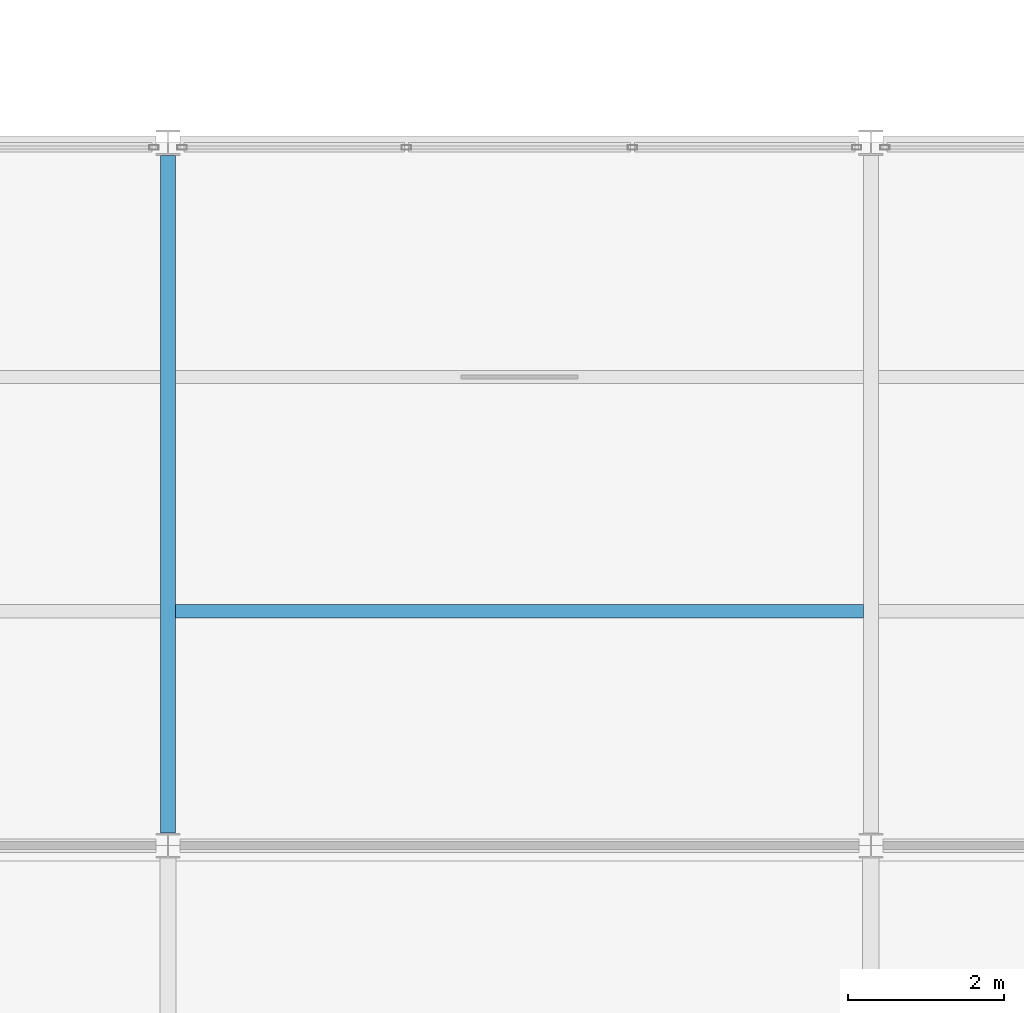
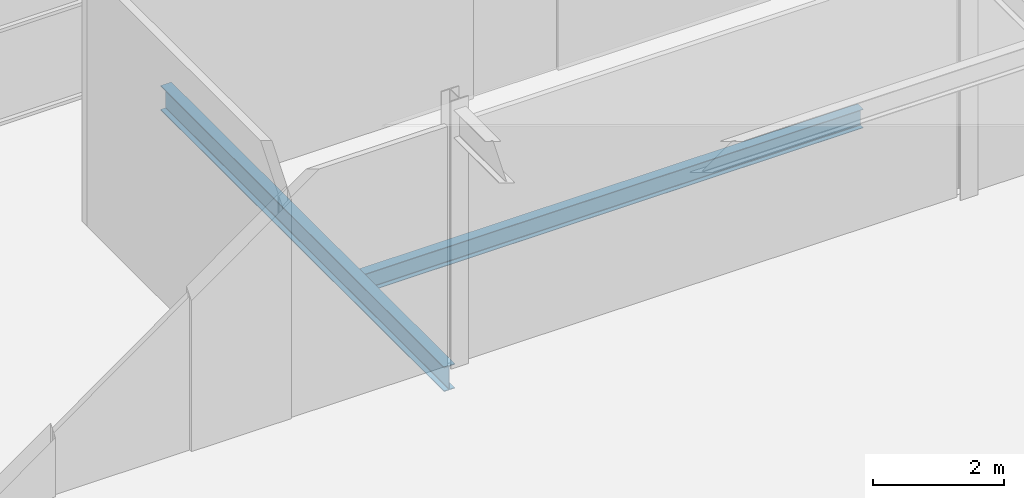
# One storey, part 26 of 115: 2 beams.
"""IFC4 building model written with IfcOpenShell, lengths in metres."""

from ifc_helpers import new_model, si_unit, direction, frame, origin, origin_2d, place, context, subcontext, project, spatial, i_section, extrude, material, material_profile, profile_set, type_object, element, save


model = new_model("IFC4")

# Units and contexts
model_context = context("Model", 3, precision=1e-05, world=origin(), true_north=direction((0.0, 1.0)))
body_context = subcontext(model_context, "Body", "Model", "MODEL_VIEW")
ifc_project = project(units=[si_unit("LENGTHUNIT", "METRE"), si_unit("AREAUNIT", "SQUARE_METRE"), si_unit("VOLUMEUNIT", "CUBIC_METRE"), si_unit("PLANEANGLEUNIT", "RADIAN"), si_unit("MASSUNIT", "GRAM", prefix="KILO")], contexts=[model_context])

# Site, building, storey
site_placement = place(None, origin())
site = spatial("IfcSite", under=ifc_project, at=site_placement, CompositionType="ELEMENT")
building_placement = place(site_placement, origin())
building = spatial("IfcBuilding", under=site, at=building_placement, Name="Shorebreak Coast Museum", CompositionType="ELEMENT")
storey_placement = place(building_placement, frame((0.0, 0.0, 11.0)))
storey = spatial("IfcBuildingStorey", under=building, at=storey_placement, Name="L02", CompositionType="ELEMENT", Elevation=11.0)

# Beams
ifc_material_1 = material(Name="Steel Grade 300", Category="steel")
ifc_material_profile_1 = material_profile(ifc_material_1, i_section(OverallWidth=0.19091796875, OverallDepth=0.46044921875, WebThickness=0.010009765625, FlangeThickness=0.01611328125, FilletRadius=0.011474609375, at=origin_2d()), Name="460UB82.1")
ifc_profile_set_1 = profile_set([ifc_material_profile_1], Name="Steel Grade 300")
beam_type_1 = type_object("IfcBeamType", Name="Floor girder north-south 460UB82.1", PredefinedType="BEAM", material=ifc_profile_set_1)
beam_1_placement = place(storey_placement, frame((72.0, 54.160400390625, -0.4052734375), z_axis=(0.0, 1.0, 0.0), x_axis=(-1.0, 0.0, 0.0)))
element("IfcBeam", 1, at=beam_1_placement, inside=storey, type_object=beam_type_1, Name="Floor girder north-south L02 9G", PredefinedType="BEAM", context=body_context, shape_type="SweptSolid", body=[
    extrude(i_section(OverallWidth=0.19091796875, OverallDepth=0.46044921875, WebThickness=0.010009765625, FlangeThickness=0.01611328125, FilletRadius=0.011474609375, at=origin_2d()), origin(), (0.0, 0.0, 1.0), 8.676025390625),
])
ifc_material_2 = material(Name="Steel Grade 300", Category="steel")
ifc_material_profile_2 = material_profile(ifc_material_2, i_section(OverallWidth=0.1708984375, OverallDepth=0.35205078125, WebThickness=0.0068359375, FlangeThickness=0.009765625, FilletRadius=0.011474609375, at=origin_2d()), Name="360UB44.7")
ifc_profile_set_2 = profile_set([ifc_material_profile_2], Name="Steel Grade 300")
beam_type_2 = type_object("IfcBeamType", Name="Floor joist 360UB44.7", PredefinedType="JOIST", material=ifc_profile_set_2)
beam_2_placement = place(storey_placement, frame((72.095458984375, 57.0, -0.35107421875), z_axis=(1.0, 0.0, 0.0), x_axis=(0.0, 1.0, 0.0)))
element("IfcBeam", 2, at=beam_2_placement, inside=storey, type_object=beam_type_2, Name="Floor joist L02 bay 9G at 3000 mm", PredefinedType="JOIST", context=body_context, shape_type="SweptSolid", body=[
    extrude(i_section(OverallWidth=0.1708984375, OverallDepth=0.35205078125, WebThickness=0.0068359375, FlangeThickness=0.009765625, FilletRadius=0.011474609375, at=origin_2d()), origin(), (0.0, 0.0, 1.0), 8.80908203125),
])

save(model, "model.ifc")
